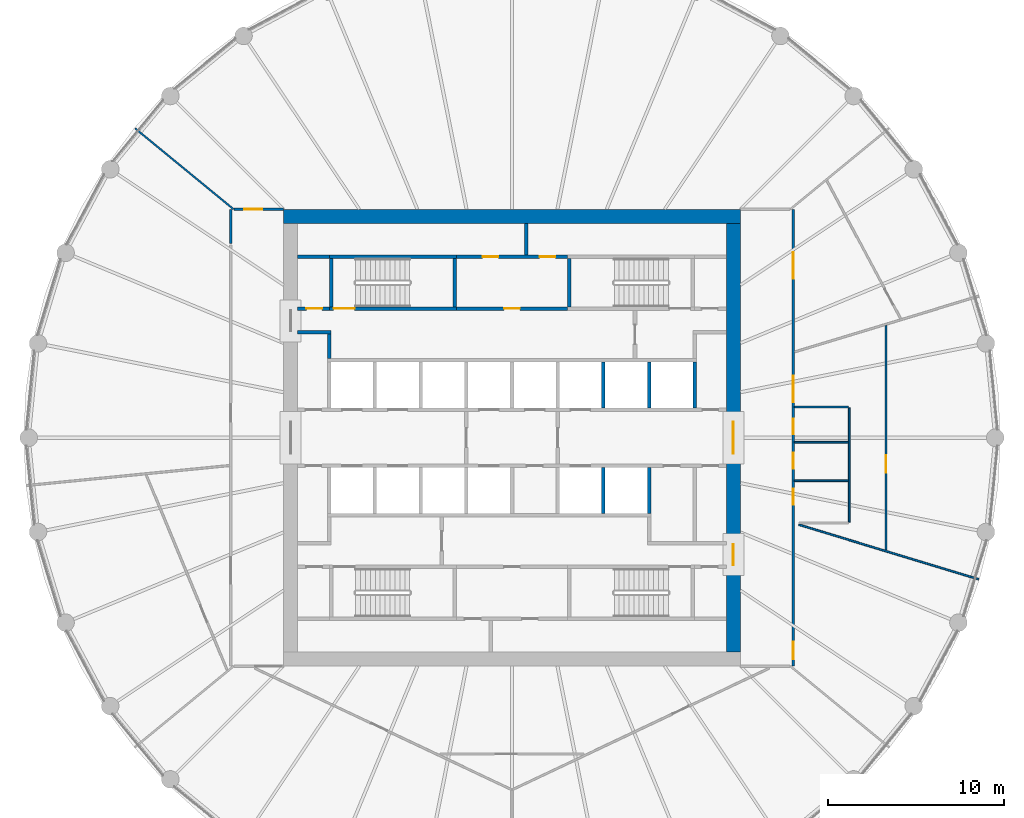
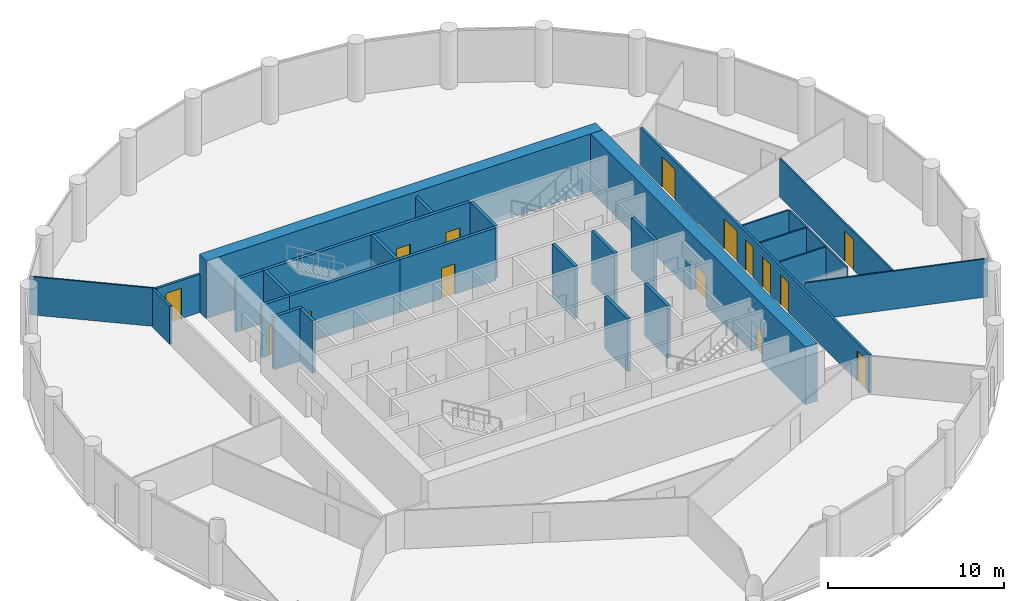
# One storey, part 6 of 8: 29 walls, 15 doors, 15 openings.
"""IFC4 building model written with IfcOpenShell, lengths in metres."""

from ifc_helpers import new_model, si_unit, direction, frame, frame_2d, origin, place, context, subcontext, project, spatial, polyline, rectangle, outline, extrude, material, layer, layer_set, type_object, element, fill, save


model = new_model("IFC4")

# Units and contexts
model_context = context("Model", 3, precision=1e-05, world=origin(), true_north=direction((0.0, 1.0)))
body_context = subcontext(model_context, "Body", "Model", "MODEL_VIEW")
ifc_project = project(units=[si_unit("LENGTHUNIT", "METRE"), si_unit("AREAUNIT", "SQUARE_METRE"), si_unit("VOLUMEUNIT", "CUBIC_METRE"), si_unit("PLANEANGLEUNIT", "RADIAN"), si_unit("MASSUNIT", "GRAM", prefix="KILO")], contexts=[model_context])

# Site, building, storey
site_placement = place(None, origin())
site = spatial("IfcSite", under=ifc_project, at=site_placement, CompositionType="ELEMENT")
building_placement = place(site_placement, origin())
building = spatial("IfcBuilding", under=site, at=building_placement, Name="Corvane Civic Tower", CompositionType="ELEMENT")
storey_placement = place(building_placement, frame((0.0, 0.0, 253.5)))
storey = spatial("IfcBuildingStorey", under=building, at=storey_placement, Name="L60", CompositionType="ELEMENT", Elevation=253.5)

# Wall
ifc_material_1 = material(Name="Concrete C50/60", Category="concrete")
ifc_layer_1 = layer(ifc_material_1, 0.800048828125)
ifc_layer_set_1 = layer_set([ifc_layer_1], Name="Concrete C50/60")
wall_type_1 = type_object("IfcWallType", Name="CORE WALL 800 C50/60", PredefinedType="SHEAR", material=ifc_layer_set_1)
wall_1_placement = place(storey_placement, frame((-13.0, 12.60009765625, 0.0), z_axis=(0.0, 0.0, 1.0), x_axis=(1.0, 0.0, 0.0)))
element("IfcWall", 1, at=wall_1_placement, inside=storey, type_object=wall_type_1, Name="W-L60-core-N", PredefinedType="SHEAR", context=body_context, shape_type="SweptSolid", body=[
    extrude(rectangle(XDim=26.0, YDim=0.800048828125, at=frame_2d((13.0, 0.0))), origin(), (0.0, 0.0, 1.0), 4.0),
])

# Wall, openings, doors
wall_2_placement = place(storey_placement, frame((12.60009765625, -12.199951171875, 0.0), z_axis=(0.0, 0.0, 1.0), x_axis=(0.0, 1.0, 0.0)))
wall_2 = element("IfcWall", 2, at=wall_2_placement, inside=storey, type_object=wall_type_1, Name="W-L60-core-E", PredefinedType="SHEAR", context=body_context, shape_type="SweptSolid", body=[
    extrude(rectangle(XDim=24.39990234375, YDim=0.800048828125, at=frame_2d((12.199951171875, 0.0))), origin(), (0.0, 0.0, 1.0), 4.0),
])
opening_1_placement = place(wall_2_placement, frame((11.300048828125, 0.0, 0.0)))
opening_1 = element("IfcOpeningElement", 3, at=opening_1_placement, cuts=wall_2, Name="Opening L60.C26", PredefinedType="OPENING", context=body_context, shape_type="SweptSolid", body=[
    extrude(rectangle(XDim=1.800048828125, YDim=2.10009765625, at=frame_2d((0.89990234375, 1.050048828125))), frame((0.0, 0.409912109375, 0.0), z_axis=(0.0, -1.0, 0.0), x_axis=(1.0, 0.0, 0.0)), (0.0, 0.0, 1.0), 0.820068359375),
])
opening_2_placement = place(wall_2_placement, frame((4.949951171875, 0.0, 0.0)))
opening_2 = element("IfcOpeningElement", 4, at=opening_2_placement, cuts=wall_2, Name="Opening L60.C28", PredefinedType="OPENING", context=body_context, shape_type="SweptSolid", body=[
    extrude(rectangle(XDim=1.199951171875, YDim=2.10009765625, at=frame_2d((0.60009765625, 1.050048828125))), frame((0.0, 0.409912109375, 0.0), z_axis=(0.0, -1.0, 0.0), x_axis=(1.0, 0.0, 0.0)), (0.0, 0.0, 1.0), 0.820068359375),
])
ifc_material_2 = material(Name="Steel fire door leaf", Category="steel")
door_type_1 = type_object("IfcDoorType", Name="CR-DOOR-CORE-1800", OperationType="DOUBLE_DOOR_SINGLE_SWING", PredefinedType="DOOR", material=ifc_material_2)
door_1_placement = place(opening_1_placement, origin())
door_1 = element("IfcDoor", 5, at=door_1_placement, inside=storey, type_object=door_type_1, Name="L60 door", OperationType="DOUBLE_DOOR_SINGLE_SWING", OverallHeight=2.10009765625, OverallWidth=1.800048828125, PredefinedType="DOOR", context=body_context, shape_type="SweptSolid", body=[
    extrude(rectangle(XDim=1.800048828125, YDim=2.10009765625, at=frame_2d((0.89990234375, 1.050048828125))), frame((0.0, 0.02490234375, 0.0), z_axis=(0.0, -1.0, 0.0), x_axis=(1.0, 0.0, 0.0)), (0.0, 0.0, 1.0), 0.050048828125),
])
fill(opening_1, door_1)
door_2_placement = place(opening_2_placement, origin())
door_2 = element("IfcDoor", 6, at=door_2_placement, inside=storey, type_object=door_type_1, Name="L60 door", OperationType="DOUBLE_DOOR_SINGLE_SWING", OverallHeight=2.10009765625, OverallWidth=1.199951171875, PredefinedType="DOOR", context=body_context, shape_type="SweptSolid", body=[
    extrude(rectangle(XDim=1.199951171875, YDim=2.10009765625, at=frame_2d((0.60009765625, 1.050048828125))), frame((0.0, 0.02490234375, 0.0), z_axis=(0.0, -1.0, 0.0), x_axis=(1.0, 0.0, 0.0)), (0.0, 0.0, 1.0), 0.050048828125),
])
fill(opening_2, door_2)

# Wall, opening, door
ifc_material_3 = material(Name="Concrete C30/37", Category="concrete")
ifc_layer_2 = layer(ifc_material_3, 0.199951171875)
ifc_layer_set_2 = layer_set([ifc_layer_2], Name="Concrete C30/37")
wall_type_2 = type_object("IfcWallType", Name="CR-WALL-200", PredefinedType="PARTITIONING", material=ifc_layer_set_2)
wall_3_placement = place(storey_placement, frame((-12.199951171875, 7.35009765625, 0.0), z_axis=(0.0, 0.0, 1.0), x_axis=(1.0, 0.0, 0.0)))
wall_3 = element("IfcWall", 7, at=wall_3_placement, inside=storey, type_object=wall_type_2, Name="L60 core partition wall", PredefinedType="PARTITIONING", context=body_context, shape_type="SweptSolid", body=[
    extrude(rectangle(XDim=1.800048828125, YDim=0.199951171875, at=frame_2d((0.89990234375, 0.0))), origin(), (0.0, 0.0, 1.0), 3.64990234375),
])
opening_3_placement = place(wall_3_placement, frame((0.5, 0.0, 0.0)))
opening_3 = element("IfcOpeningElement", 8, at=opening_3_placement, cuts=wall_3, Name="Opening L60.C13", PredefinedType="OPENING", context=body_context, shape_type="SweptSolid", body=[
    extrude(rectangle(XDim=0.89990234375, YDim=2.10009765625, at=frame_2d((0.449951171875, 1.050048828125))), frame((0.0, 0.10986328125, 0.0), z_axis=(0.0, -1.0, 0.0), x_axis=(1.0, 0.0, 0.0)), (0.0, 0.0, 1.0), 0.219970703125),
])
ifc_material_4 = material(Name="Steel fire door leaf", Category="steel")
door_type_2 = type_object("IfcDoorType", Name="CR-DOOR-900", OperationType="SINGLE_SWING_LEFT", PredefinedType="DOOR", material=ifc_material_4)
door_3_placement = place(opening_3_placement, origin())
door_3 = element("IfcDoor", 9, at=door_3_placement, inside=storey, type_object=door_type_2, Name="L60 door", OperationType="SINGLE_SWING_LEFT", OverallHeight=2.10009765625, OverallWidth=0.89990234375, PredefinedType="DOOR", context=body_context, shape_type="SweptSolid", body=[
    extrude(rectangle(XDim=0.89990234375, YDim=2.10009765625, at=frame_2d((0.449951171875, 1.050048828125))), frame((0.0, 0.02490234375, 0.0), z_axis=(0.0, -1.0, 0.0), x_axis=(1.0, 0.0, 0.0)), (0.0, 0.0, 1.0), 0.050048828125),
])
fill(opening_3, door_3)

wall_4_placement = place(storey_placement, frame((-3.14990234375, 7.35009765625, 0.0), z_axis=(0.0, 0.0, 1.0), x_axis=(1.0, 0.0, 0.0)))
wall_4 = element("IfcWall", 10, at=wall_4_placement, inside=storey, type_object=wall_type_2, Name="L60 core partition wall", PredefinedType="PARTITIONING", context=body_context, shape_type="SweptSolid", body=[
    extrude(rectangle(XDim=6.2998046875, YDim=0.199951171875, at=frame_2d((3.14990234375, 0.0))), origin(), (0.0, 0.0, 1.0), 3.64990234375),
])
opening_4_placement = place(wall_4_placement, frame((2.699951171875, 0.0, 0.0)))
opening_4 = element("IfcOpeningElement", 11, at=opening_4_placement, cuts=wall_4, Name="Opening L60.C07", PredefinedType="OPENING", context=body_context, shape_type="SweptSolid", body=[
    extrude(rectangle(XDim=0.89990234375, YDim=2.10009765625, at=frame_2d((0.449951171875, 1.050048828125))), frame((0.0, 0.10986328125, 0.0), z_axis=(0.0, -1.0, 0.0), x_axis=(1.0, 0.0, 0.0)), (0.0, 0.0, 1.0), 0.219970703125),
])
door_4_placement = place(opening_4_placement, origin())
door_4 = element("IfcDoor", 12, at=door_4_placement, inside=storey, type_object=door_type_2, Name="L60 door", OperationType="SINGLE_SWING_LEFT", OverallHeight=2.10009765625, OverallWidth=0.89990234375, PredefinedType="DOOR", context=body_context, shape_type="SweptSolid", body=[
    extrude(rectangle(XDim=0.89990234375, YDim=2.10009765625, at=frame_2d((0.449951171875, 1.050048828125))), frame((0.0, 0.02490234375, 0.0), z_axis=(0.0, -1.0, 0.0), x_axis=(1.0, 0.0, 0.0)), (0.0, 0.0, 1.0), 0.050048828125),
])
fill(opening_4, door_4)

# Wall, openings, doors
wall_5_placement = place(storey_placement, frame((-3.14990234375, 10.300048828125, 0.0), z_axis=(0.0, 0.0, 1.0), x_axis=(1.0, 0.0, 0.0)))
wall_5 = element("IfcWall", 13, at=wall_5_placement, inside=storey, type_object=wall_type_2, Name="L60 partition wall", PredefinedType="PARTITIONING", context=body_context, shape_type="SweptSolid", body=[
    extrude(rectangle(XDim=6.2998046875, YDim=0.199951171875, at=frame_2d((3.14990234375, 0.0))), origin(), (0.0, 0.0, 1.0), 3.64990234375),
])
opening_5_placement = place(wall_5_placement, frame((1.47509765625, 0.0, 0.0)))
opening_5 = element("IfcOpeningElement", 14, at=opening_5_placement, cuts=wall_5, Name="Opening L60.C09", PredefinedType="OPENING", context=body_context, shape_type="SweptSolid", body=[
    extrude(rectangle(XDim=0.89990234375, YDim=2.10009765625, at=frame_2d((0.449951171875, 1.050048828125))), frame((0.0, 0.10986328125, 0.0), z_axis=(0.0, -1.0, 0.0), x_axis=(1.0, 0.0, 0.0)), (0.0, 0.0, 1.0), 0.219970703125),
])
opening_6_placement = place(wall_5_placement, frame((4.72509765625, 0.0, 0.0)))
opening_6 = element("IfcOpeningElement", 15, at=opening_6_placement, cuts=wall_5, Name="Opening L60.C10", PredefinedType="OPENING", context=body_context, shape_type="SweptSolid", body=[
    extrude(rectangle(XDim=0.89990234375, YDim=2.10009765625, at=frame_2d((0.449951171875, 1.050048828125))), frame((0.0, 0.10986328125, 0.0), z_axis=(0.0, -1.0, 0.0), x_axis=(1.0, 0.0, 0.0)), (0.0, 0.0, 1.0), 0.219970703125),
])
door_5_placement = place(opening_5_placement, origin())
door_5 = element("IfcDoor", 16, at=door_5_placement, inside=storey, type_object=door_type_2, Name="L60 door", OperationType="SINGLE_SWING_LEFT", OverallHeight=2.10009765625, OverallWidth=0.89990234375, PredefinedType="DOOR", context=body_context, shape_type="SweptSolid", body=[
    extrude(rectangle(XDim=0.89990234375, YDim=2.10009765625, at=frame_2d((0.449951171875, 1.050048828125))), frame((0.0, 0.02490234375, 0.0), z_axis=(0.0, -1.0, 0.0), x_axis=(1.0, 0.0, 0.0)), (0.0, 0.0, 1.0), 0.050048828125),
])
fill(opening_5, door_5)
door_6_placement = place(opening_6_placement, origin())
door_6 = element("IfcDoor", 17, at=door_6_placement, inside=storey, type_object=door_type_2, Name="L60 door", OperationType="SINGLE_SWING_LEFT", OverallHeight=2.10009765625, OverallWidth=0.89990234375, PredefinedType="DOOR", context=body_context, shape_type="SweptSolid", body=[
    extrude(rectangle(XDim=0.89990234375, YDim=2.10009765625, at=frame_2d((0.449951171875, 1.050048828125))), frame((0.0, 0.02490234375, 0.0), z_axis=(0.0, -1.0, 0.0), x_axis=(1.0, 0.0, 0.0)), (0.0, 0.0, 1.0), 0.050048828125),
])
fill(opening_6, door_6)

# Walls
wall_6_placement = place(storey_placement, origin())
element("IfcWall", 18, at=wall_6_placement, inside=storey, type_object=wall_type_2, Name="L60 core partition wall", PredefinedType="PARTITIONING", context=body_context, shape_type="SweptSolid", body=[
    extrude(outline(polyline([(5.300048828125, -1.699951171875), (5.300048828125, -4.2998046875), (5.10009765625, -4.2998046875), (5.10009765625, -1.699951171875), (5.300048828125, -1.699951171875)])), origin(), (0.0, 0.0, 1.0), 3.64990234375),
])
wall_7_placement = place(storey_placement, origin())
element("IfcWall", 19, at=wall_7_placement, inside=storey, type_object=wall_type_2, Name="L60 core partition wall", PredefinedType="PARTITIONING", context=body_context, shape_type="SweptSolid", body=[
    extrude(outline(polyline([(7.89990234375, -1.699951171875), (7.89990234375, -4.2998046875), (7.699951171875, -4.2998046875), (7.699951171875, -1.699951171875), (7.89990234375, -1.699951171875)])), origin(), (0.0, 0.0, 1.0), 3.64990234375),
])
wall_8_placement = place(storey_placement, origin())
element("IfcWall", 20, at=wall_8_placement, inside=storey, type_object=wall_type_2, Name="L60 core partition wall", PredefinedType="PARTITIONING", context=body_context, shape_type="SweptSolid", body=[
    extrude(outline(polyline([(5.300048828125, 1.699951171875), (5.10009765625, 1.699951171875), (5.10009765625, 4.2998046875), (5.300048828125, 4.2998046875), (5.300048828125, 1.699951171875)])), origin(), (0.0, 0.0, 1.0), 3.64990234375),
])
wall_9_placement = place(storey_placement, origin())
element("IfcWall", 21, at=wall_9_placement, inside=storey, type_object=wall_type_2, Name="L60 core partition wall", PredefinedType="PARTITIONING", context=body_context, shape_type="SweptSolid", body=[
    extrude(outline(polyline([(7.89990234375, 1.699951171875), (7.699951171875, 1.699951171875), (7.699951171875, 4.2998046875), (7.89990234375, 4.2998046875), (7.89990234375, 1.699951171875)])), origin(), (0.0, 0.0, 1.0), 3.64990234375),
])
wall_10_placement = place(storey_placement, origin())
element("IfcWall", 22, at=wall_10_placement, inside=storey, type_object=wall_type_2, Name="L60 core partition wall", PredefinedType="PARTITIONING", context=body_context, shape_type="SweptSolid", body=[
    extrude(outline(polyline([(10.5, 1.699951171875), (10.300048828125, 1.699951171875), (10.300048828125, 4.2998046875), (10.5, 4.2998046875), (10.5, 1.699951171875)])), origin(), (0.0, 0.0, 1.0), 3.64990234375),
])
wall_11_placement = place(storey_placement, origin())
element("IfcWall", 23, at=wall_11_placement, inside=storey, type_object=wall_type_2, Name="L60 core partition wall", PredefinedType="PARTITIONING", context=body_context, shape_type="SweptSolid", body=[
    extrude(outline(polyline([(-10.300048828125, 5.89990234375), (-12.199951171875, 5.89990234375), (-12.199951171875, 6.10009765625), (-10.300048828125, 6.10009765625), (-10.300048828125, 5.89990234375)])), origin(), (0.0, 0.0, 1.0), 3.64990234375),
])
wall_12_placement = place(storey_placement, origin())
element("IfcWall", 24, at=wall_12_placement, inside=storey, type_object=wall_type_2, Name="L60 core partition wall", PredefinedType="PARTITIONING", context=body_context, shape_type="SweptSolid", body=[
    extrude(outline(polyline([(-10.300048828125, 4.5), (-10.5, 4.5), (-10.5, 5.89990234375), (-10.300048828125, 5.89990234375), (-10.300048828125, 4.5)])), origin(), (0.0, 0.0, 1.0), 3.64990234375),
])
wall_13_placement = place(storey_placement, origin())
element("IfcWall", 25, at=wall_13_placement, inside=storey, type_object=wall_type_2, Name="L60 core partition wall", PredefinedType="PARTITIONING", context=body_context, shape_type="SweptSolid", body=[
    extrude(outline(polyline([(-12.199951171875, 10.199951171875), (-12.199951171875, 10.39990234375), (-10.39990234375, 10.39990234375), (-10.39990234375, 10.199951171875), (-12.199951171875, 10.199951171875)])), origin(), (0.0, 0.0, 1.0), 3.64990234375),
])
wall_14_placement = place(storey_placement, origin())
element("IfcWall", 26, at=wall_14_placement, inside=storey, type_object=wall_type_2, Name="L60 core partition wall", PredefinedType="PARTITIONING", context=body_context, shape_type="SweptSolid", body=[
    extrude(outline(polyline([(0.89990234375, 12.199951171875), (0.89990234375, 10.39990234375), (0.699951171875, 10.39990234375), (0.699951171875, 12.199951171875), (0.89990234375, 12.199951171875)])), origin(), (0.0, 0.0, 1.0), 3.64990234375),
])
ifc_material_5 = material(Name="Plasterboard")
ifc_layer_3 = layer(ifc_material_5, 0.10009765625)
ifc_layer_set_3 = layer_set([ifc_layer_3], Name="Plasterboard")
wall_type_3 = type_object("IfcWallType", Name="Partition 100 plasterboard on studs", PredefinedType="PARTITIONING", material=ifc_layer_set_3)
wall_15_placement = place(storey_placement, frame((16.322509765625, -4.951416015625, 0.0), z_axis=(0.0, 0.0, 1.0), x_axis=(0.95694333486, -0.290274790271, 0.0)))
element("IfcWall", 27, at=wall_15_placement, inside=storey, type_object=wall_type_3, Name="Partition L60.012", PredefinedType="PARTITIONING", context=body_context, shape_type="SweptSolid", body=[
    extrude(rectangle(XDim=10.693359375, YDim=0.10009765625, at=frame_2d((5.3466796875, 0.0))), origin(), (0.0, 0.0, 1.0), 2.64990234375),
])

# Wall, opening, door
wall_16_placement = place(storey_placement, frame((21.285888671875, -6.3896484375, 0.0), z_axis=(0.0, 0.0, 1.0), x_axis=(0.0, 1.0, 0.0)))
wall_16 = element("IfcWall", 28, at=wall_16_placement, inside=storey, type_object=wall_type_3, Name="Partition L60.013", PredefinedType="PARTITIONING", context=body_context, shape_type="SweptSolid", body=[
    extrude(rectangle(XDim=12.779296875, YDim=0.10009765625, at=frame_2d((6.3896484375, 0.0))), origin(), (0.0, 0.0, 1.0), 2.64990234375),
])
opening_7_placement = place(wall_16_placement, frame((4.384765625, 0.0, 0.0)))
opening_7 = element("IfcOpeningElement", 29, at=opening_7_placement, cuts=wall_16, Name="Opening L60.008", PredefinedType="OPENING", context=body_context, shape_type="SweptSolid", body=[
    extrude(rectangle(XDim=1.0, YDim=2.10009765625, at=frame_2d((0.5, 1.050048828125))), frame((0.0, 0.06005859375, 0.0), z_axis=(0.0, -1.0, 0.0), x_axis=(1.0, 0.0, 0.0)), (0.0, 0.0, 1.0), 0.1201171875),
])
ifc_material_6 = material(Name="Timber", Category="wood")
door_type_3 = type_object("IfcDoorType", Name="Single door 1000", OperationType="NOTDEFINED", PredefinedType="DOOR", material=ifc_material_6)
door_7_placement = place(opening_7_placement, frame((1.0, 0.0, 0.0), z_axis=(0.0, 0.0, 1.0), x_axis=(-1.0, 0.0, 0.0)))
door_7 = element("IfcDoor", 30, at=door_7_placement, inside=storey, type_object=door_type_3, Name="Door L60.008", OperationType="SINGLE_SWING_LEFT", OverallHeight=2.10009765625, OverallWidth=1.0, PredefinedType="DOOR", context=body_context, shape_type="SweptSolid", body=[
    extrude(rectangle(XDim=1.0, YDim=2.10009765625, at=frame_2d((0.5, 1.050048828125))), frame((0.0, 0.02490234375, 0.0), z_axis=(0.0, -1.0, 0.0), x_axis=(1.0, 0.0, 0.0)), (0.0, 0.0, 1.0), 0.050048828125),
])
fill(opening_7, door_7)

# Walls
wall_17_placement = place(storey_placement, frame((19.199951171875, -4.803466796875, 0.0), z_axis=(0.0, 0.0, 1.0), x_axis=(0.0, 1.0, 0.0)))
element("IfcWall", 31, at=wall_17_placement, inside=storey, type_object=wall_type_3, Name="Partition L60.015", PredefinedType="PARTITIONING", context=body_context, shape_type="SweptSolid", body=[
    extrude(rectangle(XDim=6.5, YDim=0.10009765625, at=frame_2d((3.25, 0.0))), origin(), (0.0, 0.0, 1.0), 2.64990234375),
])
for number, where, z_axis, x_axis, name in (
    (32, (16.074951171875, -2.45361328125, 0.0), (0.0, 0.0, 1.0), (1.0, 0.0, 0.0), "Partition L60.017"),
    (33, (16.074951171875, -0.25341796875, 0.0), (0.0, 0.0, 1.0), (1.0, 0.0, 0.0), "Partition L60.018"),
    (34, (16.074951171875, 1.74658203125, 0.0), (0.0, 0.0, 1.0), (1.0, 0.0, 0.0), "Partition L60.019"),
):
    element("IfcWall", number, at=place(storey_placement, frame(where, z_axis=z_axis, x_axis=x_axis)), inside=storey, type_object=wall_type_3, Name=name, PredefinedType="PARTITIONING", context=body_context, shape_type="SweptSolid", body=[
        extrude(rectangle(XDim=3.074951171875, YDim=0.10009765625, at=frame_2d((1.53759765625, 0.0))), origin(), (0.0, 0.0, 1.0), 2.64990234375),
    ])
wall_18_placement = place(storey_placement, frame((-21.451171875, 17.6044921875, 0.0), z_axis=(0.0, 0.0, 1.0), x_axis=(0.772997895748, -0.634408585352, 0.0)))
element("IfcWall", 35, at=wall_18_placement, inside=storey, type_object=wall_type_3, Name="Partition L60.025", PredefinedType="PARTITIONING", context=body_context, shape_type="SweptSolid", body=[
    extrude(rectangle(XDim=7.240234375, YDim=0.10009765625, at=frame_2d((3.6201171875, 0.0))), origin(), (0.0, 0.0, 1.0), 2.64990234375),
])

# Wall, opening, door
ifc_material_7 = material(Name="Concrete C50/60", Category="concrete")
ifc_layer_4 = layer(ifc_material_7, 0.199951171875)
ifc_layer_set_4 = layer_set([ifc_layer_4], Name="Concrete C50/60")
wall_type_4 = type_object("IfcWallType", Name="ST-WALL-200", PredefinedType="SHEAR", material=ifc_layer_set_4)
wall_19_placement = place(storey_placement, frame((-10.39990234375, 7.35009765625, 0.0), z_axis=(0.0, 0.0, 1.0), x_axis=(1.0, 0.0, 0.0)))
wall_19 = element("IfcWall", 36, at=wall_19_placement, inside=storey, type_object=wall_type_4, Name="L60 stair enclosure wall", PredefinedType="SHEAR", context=body_context, shape_type="SweptSolid", body=[
    extrude(rectangle(XDim=7.25, YDim=0.199951171875, at=frame_2d((3.625, 0.0))), origin(), (0.0, 0.0, 1.0), 3.64990234375),
])
opening_8_placement = place(wall_19_placement, frame((0.25, 0.0, 0.0)))
opening_8 = element("IfcOpeningElement", 37, at=opening_8_placement, cuts=wall_19, Name="Opening L60.C18", PredefinedType="OPENING", context=body_context, shape_type="SweptSolid", body=[
    extrude(rectangle(XDim=1.199951171875, YDim=2.10009765625, at=frame_2d((0.60009765625, 1.050048828125))), frame((0.0, 0.10986328125, 0.0), z_axis=(0.0, -1.0, 0.0), x_axis=(1.0, 0.0, 0.0)), (0.0, 0.0, 1.0), 0.219970703125),
])
ifc_material_8 = material(Name="Steel fire door leaf", Category="steel")
door_type_4 = type_object("IfcDoorType", Name="ST-DOOR-1200", OperationType="SINGLE_SWING_RIGHT", PredefinedType="DOOR", material=ifc_material_8)
door_8_placement = place(opening_8_placement, origin())
door_8 = element("IfcDoor", 38, at=door_8_placement, inside=storey, type_object=door_type_4, Name="L60 stair door", OperationType="SINGLE_SWING_RIGHT", OverallHeight=2.10009765625, OverallWidth=1.199951171875, PredefinedType="DOOR", context=body_context, shape_type="SweptSolid", body=[
    extrude(rectangle(XDim=1.199951171875, YDim=2.10009765625, at=frame_2d((0.60009765625, 1.050048828125))), frame((0.0, 0.02490234375, 0.0), z_axis=(0.0, -1.0, 0.0), x_axis=(1.0, 0.0, 0.0)), (0.0, 0.0, 1.0), 0.050048828125),
])
fill(opening_8, door_8)

# Walls
wall_20_placement = place(storey_placement, origin())
element("IfcWall", 39, at=wall_20_placement, inside=storey, type_object=wall_type_4, Name="L60 stair enclosure wall", PredefinedType="SHEAR", context=body_context, shape_type="SweptSolid", body=[
    extrude(outline(polyline([(-3.14990234375, 10.199951171875), (-10.39990234375, 10.199951171875), (-10.39990234375, 10.39990234375), (-3.14990234375, 10.39990234375), (-3.14990234375, 10.199951171875)])), origin(), (0.0, 0.0, 1.0), 3.64990234375),
])
wall_21_placement = place(storey_placement, origin())
element("IfcWall", 40, at=wall_21_placement, inside=storey, type_object=wall_type_4, Name="L60 stair enclosure wall", PredefinedType="SHEAR", context=body_context, shape_type="SweptSolid", body=[
    extrude(outline(polyline([(-3.14990234375, 7.449951171875), (-3.35009765625, 7.449951171875), (-3.35009765625, 10.199951171875), (-3.14990234375, 10.199951171875), (-3.14990234375, 7.449951171875)])), origin(), (0.0, 0.0, 1.0), 3.64990234375),
])
wall_22_placement = place(storey_placement, origin())
element("IfcWall", 41, at=wall_22_placement, inside=storey, type_object=wall_type_4, Name="L60 stair enclosure wall", PredefinedType="SHEAR", context=body_context, shape_type="SweptSolid", body=[
    extrude(outline(polyline([(3.35009765625, 7.449951171875), (3.14990234375, 7.449951171875), (3.14990234375, 10.199951171875), (3.35009765625, 10.199951171875), (3.35009765625, 7.449951171875)])), origin(), (0.0, 0.0, 1.0), 3.64990234375),
])
wall_23_placement = place(storey_placement, origin())
element("IfcWall", 42, at=wall_23_placement, inside=storey, type_object=wall_type_4, Name="L60 stair enclosure wall", PredefinedType="SHEAR", context=body_context, shape_type="SweptSolid", body=[
    extrude(outline(polyline([(-10.199951171875, 7.449951171875), (-10.39990234375, 7.449951171875), (-10.39990234375, 10.199951171875), (-10.199951171875, 10.199951171875), (-10.199951171875, 7.449951171875)])), origin(), (0.0, 0.0, 1.0), 3.64990234375),
])

# Wall, openings, doors
ifc_material_9 = material(Name="Plasterboard")
ifc_layer_5 = layer(ifc_material_9, 0.14990234375)
ifc_layer_set_5 = layer_set([ifc_layer_5], Name="Plasterboard")
wall_type_5 = type_object("IfcWallType", Name="Tenancy wall 150 EI 60", PredefinedType="PARTITIONING", material=ifc_layer_set_5)
wall_24_placement = place(storey_placement, frame((16.0, -13.0, 0.0), z_axis=(0.0, 0.0, 1.0), x_axis=(0.0, 1.0, 0.0)))
wall_24 = element("IfcWall", 43, at=wall_24_placement, inside=storey, type_object=wall_type_5, Name="Partition L60.011", PredefinedType="PARTITIONING", context=body_context, shape_type="SweptSolid", body=[
    extrude(rectangle(XDim=26.0, YDim=0.14990234375, at=frame_2d((13.0, 0.0))), origin(), (0.0, 0.0, 1.0), 2.64990234375),
])
opening_9_placement = place(wall_24_placement, frame((22.049072265625, 0.0, 0.0)))
opening_9 = element("IfcOpeningElement", 44, at=opening_9_placement, cuts=wall_24, Name="Opening L60.007", PredefinedType="OPENING", context=body_context, shape_type="SweptSolid", body=[
    extrude(rectangle(XDim=1.5, YDim=2.10009765625, at=frame_2d((0.75, 1.050048828125))), frame((0.0, 0.0849609375, 0.0), z_axis=(0.0, -1.0, 0.0), x_axis=(1.0, 0.0, 0.0)), (0.0, 0.0, 1.0), 0.169921875),
])
opening_10_placement = place(wall_24_placement, frame((15.014892578125, 0.0, 0.0)))
opening_10 = element("IfcOpeningElement", 45, at=opening_10_placement, cuts=wall_24, Name="Opening L60.009", PredefinedType="OPENING", context=body_context, shape_type="SweptSolid", body=[
    extrude(rectangle(XDim=1.5, YDim=2.10009765625, at=frame_2d((0.75, 1.050048828125))), frame((0.0, 0.0849609375, 0.0), z_axis=(0.0, -1.0, 0.0), x_axis=(1.0, 0.0, 0.0)), (0.0, 0.0, 1.0), 0.169921875),
])
opening_11_placement = place(wall_24_placement, frame((9.195556640625, 0.0, 0.0)))
opening_11 = element("IfcOpeningElement", 46, at=opening_11_placement, cuts=wall_24, Name="Opening L60.010", PredefinedType="OPENING", context=body_context, shape_type="SweptSolid", body=[
    extrude(rectangle(XDim=0.89990234375, YDim=2.10009765625, at=frame_2d((0.449951171875, 1.050048828125))), frame((0.0, 0.0849609375, 0.0), z_axis=(0.0, -1.0, 0.0), x_axis=(1.0, 0.0, 0.0)), (0.0, 0.0, 1.0), 0.169921875),
])
opening_12_placement = place(wall_24_placement, frame((11.2353515625, 0.0, 0.0)))
opening_12 = element("IfcOpeningElement", 47, at=opening_12_placement, cuts=wall_24, Name="Opening L60.011", PredefinedType="OPENING", context=body_context, shape_type="SweptSolid", body=[
    extrude(rectangle(XDim=0.89990234375, YDim=2.10009765625, at=frame_2d((0.449951171875, 1.050048828125))), frame((0.0, 0.0849609375, 0.0), z_axis=(0.0, -1.0, 0.0), x_axis=(1.0, 0.0, 0.0)), (0.0, 0.0, 1.0), 0.169921875),
])
opening_13_placement = place(wall_24_placement, frame((13.18359375, 0.0, 0.0)))
opening_13 = element("IfcOpeningElement", 48, at=opening_13_placement, cuts=wall_24, Name="Opening L60.012", PredefinedType="OPENING", context=body_context, shape_type="SweptSolid", body=[
    extrude(rectangle(XDim=0.89990234375, YDim=2.10009765625, at=frame_2d((0.449951171875, 1.050048828125))), frame((0.0, 0.0849609375, 0.0), z_axis=(0.0, -1.0, 0.0), x_axis=(1.0, 0.0, 0.0)), (0.0, 0.0, 1.0), 0.169921875),
])
opening_14_placement = place(wall_24_placement, frame((0.378662109375, 0.0, 0.0)))
opening_14 = element("IfcOpeningElement", 49, at=opening_14_placement, cuts=wall_24, Name="Opening L60.013", PredefinedType="OPENING", context=body_context, shape_type="SweptSolid", body=[
    extrude(rectangle(XDim=1.0, YDim=2.10009765625, at=frame_2d((0.5, 1.050048828125))), frame((0.0, 0.0849609375, 0.0), z_axis=(0.0, -1.0, 0.0), x_axis=(1.0, 0.0, 0.0)), (0.0, 0.0, 1.0), 0.169921875),
])
ifc_material_10 = material(Name="Steel and timber", Category="steel")
door_type_5 = type_object("IfcDoorType", Name="Fire door FD30S 1000", OperationType="NOTDEFINED", PredefinedType="DOOR", material=ifc_material_10)
door_9_placement = place(opening_14_placement, frame((1.0, 0.0, 0.0), z_axis=(0.0, 0.0, 1.0), x_axis=(-1.0, 0.0, 0.0)))
door_9 = element("IfcDoor", 50, at=door_9_placement, inside=storey, type_object=door_type_5, Name="Door L60.013", OperationType="SINGLE_SWING_LEFT", OverallHeight=2.10009765625, OverallWidth=1.0, PredefinedType="DOOR", context=body_context, shape_type="SweptSolid", body=[
    extrude(rectangle(XDim=1.0, YDim=2.10009765625, at=frame_2d((0.5, 1.050048828125))), frame((0.0, 0.02490234375, 0.0), z_axis=(0.0, -1.0, 0.0), x_axis=(1.0, 0.0, 0.0)), (0.0, 0.0, 1.0), 0.050048828125),
])
fill(opening_14, door_9)
ifc_material_11 = material(Name="Steel and timber", Category="steel")
door_type_6 = type_object("IfcDoorType", Name="Fire door FD30S 900", OperationType="NOTDEFINED", PredefinedType="DOOR", material=ifc_material_11)
door_10_placement = place(opening_11_placement, frame((0.89990234375, 0.0, 0.0), z_axis=(0.0, 0.0, 1.0), x_axis=(-1.0, 0.0, 0.0)))
door_10 = element("IfcDoor", 51, at=door_10_placement, inside=storey, type_object=door_type_6, Name="Door L60.010", OperationType="SINGLE_SWING_LEFT", OverallHeight=2.10009765625, OverallWidth=0.89990234375, PredefinedType="DOOR", context=body_context, shape_type="SweptSolid", body=[
    extrude(rectangle(XDim=0.89990234375, YDim=2.10009765625, at=frame_2d((0.449951171875, 1.050048828125))), frame((0.0, 0.02490234375, 0.0), z_axis=(0.0, -1.0, 0.0), x_axis=(1.0, 0.0, 0.0)), (0.0, 0.0, 1.0), 0.050048828125),
])
fill(opening_11, door_10)
door_11_placement = place(opening_12_placement, frame((0.89990234375, 0.0, 0.0), z_axis=(0.0, 0.0, 1.0), x_axis=(-1.0, 0.0, 0.0)))
door_11 = element("IfcDoor", 52, at=door_11_placement, inside=storey, type_object=door_type_6, Name="Door L60.011", OperationType="SINGLE_SWING_LEFT", OverallHeight=2.10009765625, OverallWidth=0.89990234375, PredefinedType="DOOR", context=body_context, shape_type="SweptSolid", body=[
    extrude(rectangle(XDim=0.89990234375, YDim=2.10009765625, at=frame_2d((0.449951171875, 1.050048828125))), frame((0.0, 0.02490234375, 0.0), z_axis=(0.0, -1.0, 0.0), x_axis=(1.0, 0.0, 0.0)), (0.0, 0.0, 1.0), 0.050048828125),
])
fill(opening_12, door_11)
door_12_placement = place(opening_13_placement, frame((0.89990234375, 0.0, 0.0), z_axis=(0.0, 0.0, 1.0), x_axis=(-1.0, 0.0, 0.0)))
door_12 = element("IfcDoor", 53, at=door_12_placement, inside=storey, type_object=door_type_6, Name="Door L60.012", OperationType="SINGLE_SWING_RIGHT", OverallHeight=2.10009765625, OverallWidth=0.89990234375, PredefinedType="DOOR", context=body_context, shape_type="SweptSolid", body=[
    extrude(rectangle(XDim=0.89990234375, YDim=2.10009765625, at=frame_2d((0.449951171875, 1.050048828125))), frame((0.0, 0.02490234375, 0.0), z_axis=(0.0, -1.0, 0.0), x_axis=(1.0, 0.0, 0.0)), (0.0, 0.0, 1.0), 0.050048828125),
])
fill(opening_13, door_12)
ifc_material_12 = material(Name="Steel and timber", Category="steel")
door_type_7 = type_object("IfcDoorType", Name="Fire door FD60 double 1500", OperationType="NOTDEFINED", PredefinedType="DOOR", material=ifc_material_12)
door_13_placement = place(opening_9_placement, frame((1.5, 0.0, 0.0), z_axis=(0.0, 0.0, 1.0), x_axis=(-1.0, 0.0, 0.0)))
door_13 = element("IfcDoor", 54, at=door_13_placement, inside=storey, type_object=door_type_7, Name="Door L60.007", OperationType="DOUBLE_DOOR_SINGLE_SWING", OverallHeight=2.10009765625, OverallWidth=1.5, PredefinedType="DOOR", context=body_context, shape_type="SweptSolid", body=[
    extrude(rectangle(XDim=1.5, YDim=2.10009765625, at=frame_2d((0.75, 1.050048828125))), frame((0.0, 0.02490234375, 0.0), z_axis=(0.0, -1.0, 0.0), x_axis=(1.0, 0.0, 0.0)), (0.0, 0.0, 1.0), 0.050048828125),
])
fill(opening_9, door_13)
door_14_placement = place(opening_10_placement, frame((1.5, 0.0, 0.0), z_axis=(0.0, 0.0, 1.0), x_axis=(-1.0, 0.0, 0.0)))
door_14 = element("IfcDoor", 55, at=door_14_placement, inside=storey, type_object=door_type_7, Name="Door L60.009", OperationType="DOUBLE_DOOR_SINGLE_SWING", OverallHeight=2.10009765625, OverallWidth=1.5, PredefinedType="DOOR", context=body_context, shape_type="SweptSolid", body=[
    extrude(rectangle(XDim=1.5, YDim=2.10009765625, at=frame_2d((0.75, 1.050048828125))), frame((0.0, 0.02490234375, 0.0), z_axis=(0.0, -1.0, 0.0), x_axis=(1.0, 0.0, 0.0)), (0.0, 0.0, 1.0), 0.050048828125),
])
fill(opening_10, door_14)

# Wall
wall_25_placement = place(storey_placement, frame((-16.0, 11.03857421875, 0.0), z_axis=(0.0, 0.0, 1.0), x_axis=(0.0, 1.0, 0.0)))
element("IfcWall", 56, at=wall_25_placement, inside=storey, type_object=wall_type_5, Name="Partition L60.022", PredefinedType="PARTITIONING", context=body_context, shape_type="SweptSolid", body=[
    extrude(rectangle(XDim=1.96142578125, YDim=0.14990234375, at=frame_2d((0.980712890625, 0.0))), origin(), (0.0, 0.0, 1.0), 2.64990234375),
])

# Wall, opening, door
wall_26_placement = place(storey_placement, frame((-15.813720703125, 13.0, 0.0), z_axis=(0.0, 0.0, 1.0), x_axis=(1.0, 0.0, 0.0)))
wall_26 = element("IfcWall", 57, at=wall_26_placement, inside=storey, type_object=wall_type_5, Name="Partition L60.023", PredefinedType="PARTITIONING", context=body_context, shape_type="SweptSolid", body=[
    extrude(rectangle(XDim=2.82373046875, YDim=0.14990234375, at=frame_2d((1.411865234375, 0.0))), origin(), (0.0, 0.0, 1.0), 2.64990234375),
])
opening_15_placement = place(wall_26_placement, frame((0.589111328125, 0.0, 0.0)))
opening_15 = element("IfcOpeningElement", 58, at=opening_15_placement, cuts=wall_26, Name="Opening L60.001", PredefinedType="OPENING", context=body_context, shape_type="SweptSolid", body=[
    extrude(rectangle(XDim=1.0, YDim=2.10009765625, at=frame_2d((0.5, 1.050048828125))), frame((0.0, 0.0849609375, 0.0), z_axis=(0.0, -1.0, 0.0), x_axis=(1.0, 0.0, 0.0)), (0.0, 0.0, 1.0), 0.169921875),
])
door_15_placement = place(opening_15_placement, origin())
door_15 = element("IfcDoor", 59, at=door_15_placement, inside=storey, type_object=door_type_5, Name="Door L60.001", OperationType="SINGLE_SWING_LEFT", OverallHeight=2.10009765625, OverallWidth=1.0, PredefinedType="DOOR", context=body_context, shape_type="SweptSolid", body=[
    extrude(rectangle(XDim=1.0, YDim=2.10009765625, at=frame_2d((0.5, 1.050048828125))), frame((0.0, 0.02490234375, 0.0), z_axis=(0.0, -1.0, 0.0), x_axis=(1.0, 0.0, 0.0)), (0.0, 0.0, 1.0), 0.050048828125),
])
fill(opening_15, door_15)

save(model, "model.ifc")
